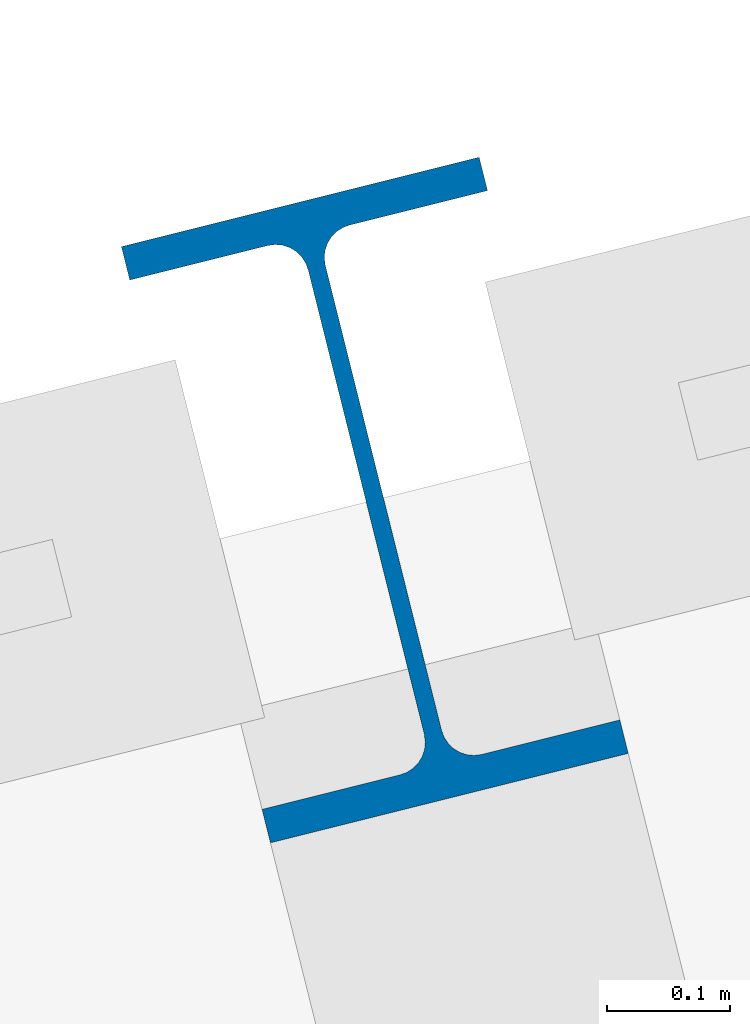
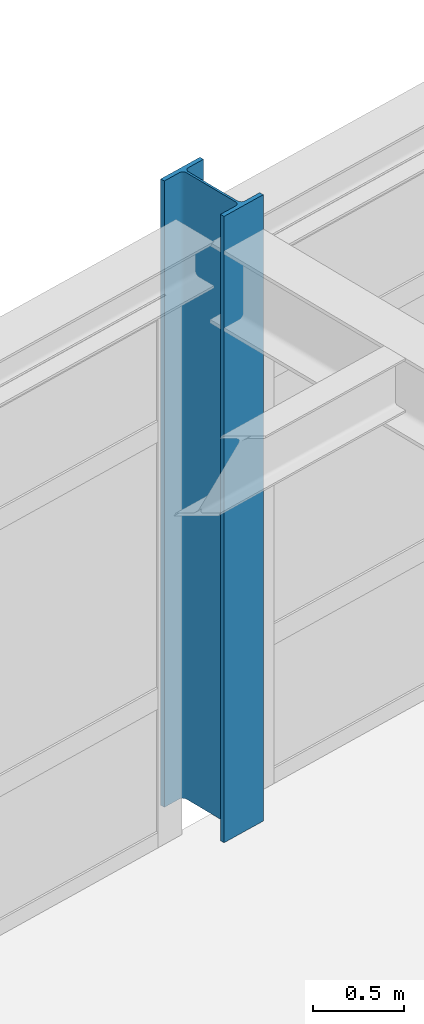
# One storey, part 5 of 88: 1 column.
"""IFC4 building model written with IfcOpenShell, lengths in metres."""

from ifc_helpers import new_model, si_unit, direction, frame, origin, origin_2d, place, context, subcontext, project, spatial, i_section, extrude, material, material_profile, profile_set, type_object, element, save


model = new_model("IFC4")

# Units and contexts
model_context = context("Model", 3, precision=1e-05, world=origin(), true_north=direction((0.0, 1.0)))
body_context = subcontext(model_context, "Body", "Model", "MODEL_VIEW")
ifc_project = project(units=[si_unit("LENGTHUNIT", "METRE"), si_unit("AREAUNIT", "SQUARE_METRE"), si_unit("VOLUMEUNIT", "CUBIC_METRE"), si_unit("PLANEANGLEUNIT", "RADIAN"), si_unit("MASSUNIT", "GRAM", prefix="KILO")], contexts=[model_context])

# Site, building, storey
site_placement = place(None, origin())
site = spatial("IfcSite", under=ifc_project, at=site_placement, CompositionType="ELEMENT")
building_placement = place(site_placement, origin())
building = spatial("IfcBuilding", under=site, at=building_placement, Name="Nordkorset Police Headquarters", CompositionType="ELEMENT")
storey_placement = place(building_placement, frame((0.0, 0.0, 9.449951171875)))
storey = spatial("IfcBuildingStorey", under=building, at=storey_placement, Name="L02", CompositionType="ELEMENT", Elevation=9.449951171875)

# Column
ifc_material = material(Name="Steel S355J2", Category="steel")
ifc_material_profile = material_profile(ifc_material, i_section(OverallWidth=0.300048828125, OverallDepth=0.5, WebThickness=0.014404296875, FlangeThickness=0.028076171875, FilletRadius=0.027099609375, at=origin_2d()), Name="HEB 500")
ifc_profile_set = profile_set([ifc_material_profile], Name="Steel S355J2")
column_type = type_object("IfcColumnType", Name="Col_HEB_500", PredefinedType="COLUMN", material=ifc_profile_set)
column_placement = place(storey_placement, frame((58.9130859375, 65.67138671875, 0.0), z_axis=(0.0, 0.0, 1.0), x_axis=(0.970142500145, 0.242535625038, 0.0)))
element("IfcColumn", 1, at=column_placement, inside=storey, type_object=column_type, Name="Structural Column V4_U4_V1 L02", PredefinedType="COLUMN", context=body_context, shape_type="SweptSolid", body=[
    extrude(i_section(OverallWidth=0.300048828125, OverallDepth=0.5, WebThickness=0.014404296875, FlangeThickness=0.028076171875, FilletRadius=0.027099609375, at=origin_2d()), origin(), (0.0, 0.0, 1.0), 4.199951171875),
])

save(model, "model.ifc")
